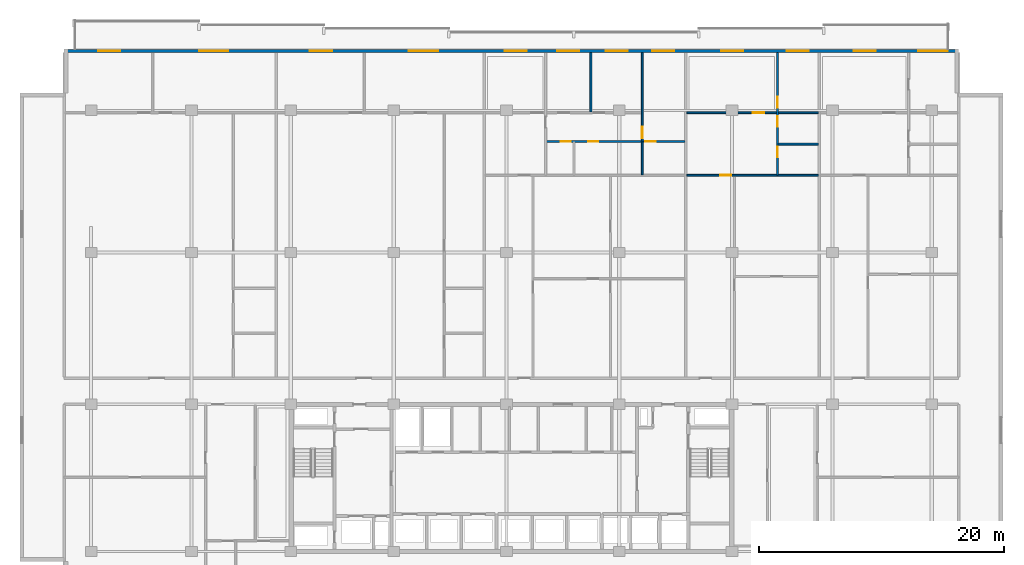
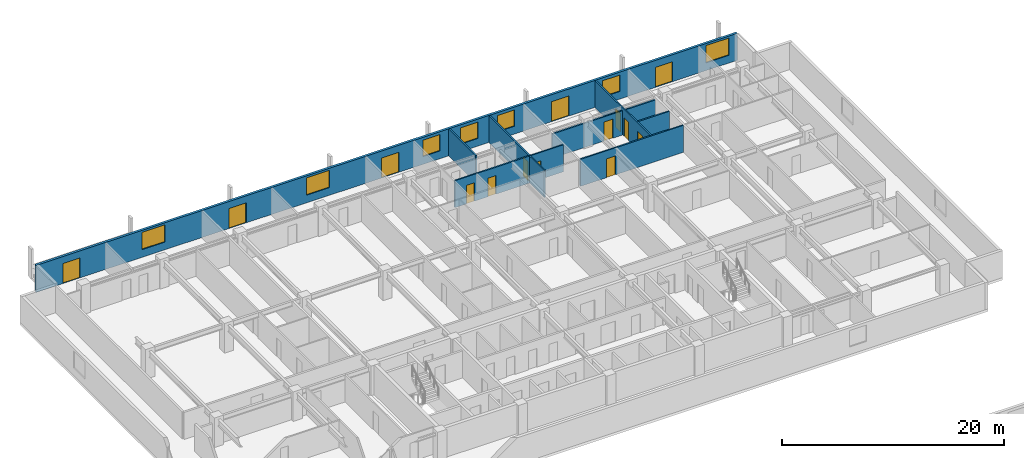
# One storey, part 15 of 22: 14 doors, 9 walls, 7 windows, 21 openings.
"""IFC4 building model written with IfcOpenShell, lengths in metres."""

from ifc_helpers import new_model, si_unit, direction, frame, frame_2d, origin, place, context, subcontext, project, spatial, rectangle, extrude, material, layer, layer_set, type_object, element, fill, save


model = new_model("IFC4")

# Units and contexts
model_context = context("Model", 3, precision=1e-05, world=origin(), true_north=direction((0.0, 1.0)))
body_context = subcontext(model_context, "Body", "Model", "MODEL_VIEW")
ifc_project = project(units=[si_unit("LENGTHUNIT", "METRE"), si_unit("AREAUNIT", "SQUARE_METRE"), si_unit("VOLUMEUNIT", "CUBIC_METRE"), si_unit("PLANEANGLEUNIT", "RADIAN"), si_unit("MASSUNIT", "GRAM", prefix="KILO")], contexts=[model_context])

# Site, building, storey
site_placement = place(None, origin())
site = spatial("IfcSite", under=ifc_project, at=site_placement, CompositionType="ELEMENT")
building_placement = place(site_placement, origin())
building = spatial("IfcBuilding", under=site, at=building_placement, Name="Korimba Cascade Residences", CompositionType="ELEMENT")
storey_placement = place(building_placement, frame((0.0, 0.0, 90.550048828125)))
storey = spatial("IfcBuildingStorey", under=building, at=storey_placement, Name="L25", CompositionType="ELEMENT", Elevation=90.550048828125)

# Wall, openings, doors, windows
ifc_material_1 = material(Name="Precast concrete C40/50", Category="concrete")
ifc_layer_1 = layer(ifc_material_1, 0.25)
ifc_layer_set_1 = layer_set([ifc_layer_1], Name="Precast concrete C40/50")
wall_type_1 = type_object("IfcWallType", Name="EW-LOG-250", PredefinedType="STANDARD", material=ifc_layer_set_1)
wall_1_placement = place(storey_placement, frame((130.60009765625, 96.050048828125, 0.0), z_axis=(0.0, 0.0, 1.0), x_axis=(-1.0, 0.0, 0.0)))
wall_1 = element("IfcWall", 1, at=wall_1_placement, inside=storey, type_object=wall_type_1, Name="L25 T1 Perimeter Stone Wall E06", PredefinedType="STANDARD", context=body_context, shape_type="SweptSolid", body=[
    extrude(rectangle(XDim=73.0, YDim=0.25, at=frame_2d((36.5, 0.0))), origin(), (0.0, 0.0, 1.0), 2.969970703125),
])
opening_1_placement = place(wall_1_placement, frame((68.422119140625, 0.0, 0.0)))
opening_1 = element("IfcOpeningElement", 2, at=opening_1_placement, cuts=wall_1, Name="Opening D-LG1", PredefinedType="OPENING", context=body_context, shape_type="SweptSolid", body=[
    extrude(rectangle(XDim=1.800048828125, YDim=2.199951171875, at=frame_2d((0.89990234375, 1.10009765625))), frame((0.0, 0.135009765625, 0.0), z_axis=(0.0, -1.0, 0.0), x_axis=(1.0, 0.0, 0.0)), (0.0, 0.0, 1.0), 0.27001953125),
])
opening_2_placement = place(wall_1_placement, frame((59.586181640625, 0.0, 0.85009765625)))
opening_2 = element("IfcOpeningElement", 3, at=opening_2_placement, cuts=wall_1, Name="Opening W-01", PredefinedType="OPENING", context=body_context, shape_type="SweptSolid", body=[
    extrude(rectangle(XDim=2.39990234375, YDim=1.89990234375, at=frame_2d((1.199951171875, 0.949951171875))), frame((0.0, 0.135009765625, 0.0), z_axis=(0.0, -1.0, 0.0), x_axis=(1.0, 0.0, 0.0)), (0.0, 0.0, 1.0), 0.27001953125),
])
opening_3_placement = place(wall_1_placement, frame((51.13525390625, 0.0, 0.0)))
opening_3 = element("IfcOpeningElement", 4, at=opening_3_placement, cuts=wall_1, Name="Opening D-LG1", PredefinedType="OPENING", context=body_context, shape_type="SweptSolid", body=[
    extrude(rectangle(XDim=1.800048828125, YDim=2.199951171875, at=frame_2d((0.89990234375, 1.10009765625))), frame((0.0, 0.135009765625, 0.0), z_axis=(0.0, -1.0, 0.0), x_axis=(1.0, 0.0, 0.0)), (0.0, 0.0, 1.0), 0.27001953125),
])
opening_4_placement = place(wall_1_placement, frame((42.46484375, 0.0, 0.85009765625)))
opening_4 = element("IfcOpeningElement", 5, at=opening_4_placement, cuts=wall_1, Name="Opening W-01", PredefinedType="OPENING", context=body_context, shape_type="SweptSolid", body=[
    extrude(rectangle(XDim=2.39990234375, YDim=1.89990234375, at=frame_2d((1.199951171875, 0.949951171875))), frame((0.0, 0.135009765625, 0.0), z_axis=(0.0, -1.0, 0.0), x_axis=(1.0, 0.0, 0.0)), (0.0, 0.0, 1.0), 0.27001953125),
])
opening_5_placement = place(wall_1_placement, frame((30.96044921875, 0.0, 0.85009765625)))
opening_5 = element("IfcOpeningElement", 6, at=opening_5_placement, cuts=wall_1, Name="Opening W-02", PredefinedType="OPENING", context=body_context, shape_type="SweptSolid", body=[
    extrude(rectangle(XDim=1.800048828125, YDim=1.800048828125, at=frame_2d((0.89990234375, 0.89990234375))), frame((0.0, 0.135009765625, 0.0), z_axis=(0.0, -1.0, 0.0), x_axis=(1.0, 0.0, 0.0)), (0.0, 0.0, 1.0), 0.27001953125),
])
opening_6_placement = place(wall_1_placement, frame((27.016845703125, 0.0, 0.85009765625)))
opening_6 = element("IfcOpeningElement", 7, at=opening_6_placement, cuts=wall_1, Name="Opening W-02", PredefinedType="OPENING", context=body_context, shape_type="SweptSolid", body=[
    extrude(rectangle(XDim=1.800048828125, YDim=1.800048828125, at=frame_2d((0.89990234375, 0.89990234375))), frame((0.0, 0.135009765625, 0.0), z_axis=(0.0, -1.0, 0.0), x_axis=(1.0, 0.0, 0.0)), (0.0, 0.0, 1.0), 0.27001953125),
])
opening_7_placement = place(wall_1_placement, frame((35.2470703125, 0.0, 0.0)))
opening_7 = element("IfcOpeningElement", 8, at=opening_7_placement, cuts=wall_1, Name="Opening D-LG1", PredefinedType="OPENING", context=body_context, shape_type="SweptSolid", body=[
    extrude(rectangle(XDim=1.800048828125, YDim=2.199951171875, at=frame_2d((0.89990234375, 1.10009765625))), frame((0.0, 0.135009765625, 0.0), z_axis=(0.0, -1.0, 0.0), x_axis=(1.0, 0.0, 0.0)), (0.0, 0.0, 1.0), 0.27001953125),
])
opening_8_placement = place(wall_1_placement, frame((23.2021484375, 0.0, 0.85009765625)))
opening_8 = element("IfcOpeningElement", 9, at=opening_8_placement, cuts=wall_1, Name="Opening W-02", PredefinedType="OPENING", context=body_context, shape_type="SweptSolid", body=[
    extrude(rectangle(XDim=1.800048828125, YDim=1.800048828125, at=frame_2d((0.89990234375, 0.89990234375))), frame((0.0, 0.135009765625, 0.0), z_axis=(0.0, -1.0, 0.0), x_axis=(1.0, 0.0, 0.0)), (0.0, 0.0, 1.0), 0.27001953125),
])
opening_9_placement = place(wall_1_placement, frame((17.5654296875, 0.0, 0.0)))
opening_9 = element("IfcOpeningElement", 10, at=opening_9_placement, cuts=wall_1, Name="Opening D-LG1", PredefinedType="OPENING", context=body_context, shape_type="SweptSolid", body=[
    extrude(rectangle(XDim=1.800048828125, YDim=2.199951171875, at=frame_2d((0.89990234375, 1.10009765625))), frame((0.0, 0.135009765625, 0.0), z_axis=(0.0, -1.0, 0.0), x_axis=(1.0, 0.0, 0.0)), (0.0, 0.0, 1.0), 0.27001953125),
])
opening_10_placement = place(wall_1_placement, frame((12.236572265625, 0.0, 0.85009765625)))
opening_10 = element("IfcOpeningElement", 11, at=opening_10_placement, cuts=wall_1, Name="Opening W-02", PredefinedType="OPENING", context=body_context, shape_type="SweptSolid", body=[
    extrude(rectangle(XDim=1.800048828125, YDim=1.800048828125, at=frame_2d((0.89990234375, 0.89990234375))), frame((0.0, 0.135009765625, 0.0), z_axis=(0.0, -1.0, 0.0), x_axis=(1.0, 0.0, 0.0)), (0.0, 0.0, 1.0), 0.27001953125),
])
opening_11_placement = place(wall_1_placement, frame((6.76318359375, 0.0, 0.0)))
opening_11 = element("IfcOpeningElement", 12, at=opening_11_placement, cuts=wall_1, Name="Opening D-LG1", PredefinedType="OPENING", context=body_context, shape_type="SweptSolid", body=[
    extrude(rectangle(XDim=1.800048828125, YDim=2.199951171875, at=frame_2d((0.89990234375, 1.10009765625))), frame((0.0, 0.135009765625, 0.0), z_axis=(0.0, -1.0, 0.0), x_axis=(1.0, 0.0, 0.0)), (0.0, 0.0, 1.0), 0.27001953125),
])
opening_12_placement = place(wall_1_placement, frame((0.89990234375, 0.0, 0.85009765625)))
opening_12 = element("IfcOpeningElement", 13, at=opening_12_placement, cuts=wall_1, Name="Opening W-01", PredefinedType="OPENING", context=body_context, shape_type="SweptSolid", body=[
    extrude(rectangle(XDim=2.39990234375, YDim=1.89990234375, at=frame_2d((1.199951171875, 0.949951171875))), frame((0.0, 0.135009765625, 0.0), z_axis=(0.0, -1.0, 0.0), x_axis=(1.0, 0.0, 0.0)), (0.0, 0.0, 1.0), 0.27001953125),
])
ifc_material_2 = material(Name="Glazed Aluminium Loggia Sliding Door", Category="aluminium")
door_type_1 = type_object("IfcDoorType", Name="DR-EXT-LOG", OperationType="NOTDEFINED", PredefinedType="DOOR", material=ifc_material_2)
door_1_placement = place(opening_1_placement, origin())
door_1 = element("IfcDoor", 14, at=door_1_placement, inside=storey, type_object=door_type_1, Name="L25 T1 Loggia Sliding Door 3", OperationType="SLIDING_TO_LEFT", OverallHeight=2.199951171875, OverallWidth=1.800048828125, PredefinedType="DOOR", context=body_context, shape_type="SweptSolid", body=[
    extrude(rectangle(XDim=1.800048828125, YDim=2.199951171875, at=frame_2d((0.89990234375, 1.10009765625))), frame((0.0, 0.02490234375, 0.0), z_axis=(0.0, -1.0, 0.0), x_axis=(1.0, 0.0, 0.0)), (0.0, 0.0, 1.0), 0.050048828125),
])
fill(opening_1, door_1)
door_2_placement = place(opening_3_placement, origin())
door_2 = element("IfcDoor", 15, at=door_2_placement, inside=storey, type_object=door_type_1, Name="L25 T1 Loggia Sliding Door 5", OperationType="SLIDING_TO_LEFT", OverallHeight=2.199951171875, OverallWidth=1.800048828125, PredefinedType="DOOR", context=body_context, shape_type="SweptSolid", body=[
    extrude(rectangle(XDim=1.800048828125, YDim=2.199951171875, at=frame_2d((0.89990234375, 1.10009765625))), frame((0.0, 0.02490234375, 0.0), z_axis=(0.0, -1.0, 0.0), x_axis=(1.0, 0.0, 0.0)), (0.0, 0.0, 1.0), 0.050048828125),
])
fill(opening_3, door_2)
door_3_placement = place(opening_7_placement, origin())
door_3 = element("IfcDoor", 16, at=door_3_placement, inside=storey, type_object=door_type_1, Name="L25 T1 Loggia Sliding Door 9", OperationType="SLIDING_TO_LEFT", OverallHeight=2.199951171875, OverallWidth=1.800048828125, PredefinedType="DOOR", context=body_context, shape_type="SweptSolid", body=[
    extrude(rectangle(XDim=1.800048828125, YDim=2.199951171875, at=frame_2d((0.89990234375, 1.10009765625))), frame((0.0, 0.02490234375, 0.0), z_axis=(0.0, -1.0, 0.0), x_axis=(1.0, 0.0, 0.0)), (0.0, 0.0, 1.0), 0.050048828125),
])
fill(opening_7, door_3)
door_4_placement = place(opening_9_placement, origin())
door_4 = element("IfcDoor", 17, at=door_4_placement, inside=storey, type_object=door_type_1, Name="L25 T1 Loggia Sliding Door 11", OperationType="SLIDING_TO_LEFT", OverallHeight=2.199951171875, OverallWidth=1.800048828125, PredefinedType="DOOR", context=body_context, shape_type="SweptSolid", body=[
    extrude(rectangle(XDim=1.800048828125, YDim=2.199951171875, at=frame_2d((0.89990234375, 1.10009765625))), frame((0.0, 0.02490234375, 0.0), z_axis=(0.0, -1.0, 0.0), x_axis=(1.0, 0.0, 0.0)), (0.0, 0.0, 1.0), 0.050048828125),
])
fill(opening_9, door_4)
door_5_placement = place(opening_11_placement, origin())
door_5 = element("IfcDoor", 18, at=door_5_placement, inside=storey, type_object=door_type_1, Name="L25 T1 Loggia Sliding Door 13", OperationType="SLIDING_TO_LEFT", OverallHeight=2.199951171875, OverallWidth=1.800048828125, PredefinedType="DOOR", context=body_context, shape_type="SweptSolid", body=[
    extrude(rectangle(XDim=1.800048828125, YDim=2.199951171875, at=frame_2d((0.89990234375, 1.10009765625))), frame((0.0, 0.02490234375, 0.0), z_axis=(0.0, -1.0, 0.0), x_axis=(1.0, 0.0, 0.0)), (0.0, 0.0, 1.0), 0.050048828125),
])
fill(opening_11, door_5)
ifc_material_3 = material(Name="Double-Glazed Aluminium Window", Category="aluminium")
window_type_1 = type_object("IfcWindowType", Name="WIN-BED-1800", PartitioningType="SINGLE_PANEL", PredefinedType="WINDOW", material=ifc_material_3)
window_1_placement = place(opening_5_placement, origin())
window_1 = element("IfcWindow", 19, at=window_1_placement, inside=storey, type_object=window_type_1, Name="L25 T1 North Facade Window 7", OverallHeight=1.800048828125, OverallWidth=1.800048828125, PartitioningType="SINGLE_PANEL", PredefinedType="WINDOW", context=body_context, shape_type="SweptSolid", body=[
    extrude(rectangle(XDim=1.800048828125, YDim=1.800048828125, at=frame_2d((0.89990234375, 0.89990234375))), frame((0.0, 0.030029296875, 0.0), z_axis=(0.0, -1.0, 0.0), x_axis=(1.0, 0.0, 0.0)), (0.0, 0.0, 1.0), 0.06005859375),
])
fill(opening_5, window_1)
window_2_placement = place(opening_6_placement, origin())
window_2 = element("IfcWindow", 20, at=window_2_placement, inside=storey, type_object=window_type_1, Name="L25 T1 North Facade Window 8", OverallHeight=1.800048828125, OverallWidth=1.800048828125, PartitioningType="SINGLE_PANEL", PredefinedType="WINDOW", context=body_context, shape_type="SweptSolid", body=[
    extrude(rectangle(XDim=1.800048828125, YDim=1.800048828125, at=frame_2d((0.89990234375, 0.89990234375))), frame((0.0, 0.030029296875, 0.0), z_axis=(0.0, -1.0, 0.0), x_axis=(1.0, 0.0, 0.0)), (0.0, 0.0, 1.0), 0.06005859375),
])
fill(opening_6, window_2)
window_3_placement = place(opening_8_placement, origin())
window_3 = element("IfcWindow", 21, at=window_3_placement, inside=storey, type_object=window_type_1, Name="L25 T1 North Facade Window 10", OverallHeight=1.800048828125, OverallWidth=1.800048828125, PartitioningType="SINGLE_PANEL", PredefinedType="WINDOW", context=body_context, shape_type="SweptSolid", body=[
    extrude(rectangle(XDim=1.800048828125, YDim=1.800048828125, at=frame_2d((0.89990234375, 0.89990234375))), frame((0.0, 0.030029296875, 0.0), z_axis=(0.0, -1.0, 0.0), x_axis=(1.0, 0.0, 0.0)), (0.0, 0.0, 1.0), 0.06005859375),
])
fill(opening_8, window_3)
window_4_placement = place(opening_10_placement, origin())
window_4 = element("IfcWindow", 22, at=window_4_placement, inside=storey, type_object=window_type_1, Name="L25 T1 North Facade Window 12", OverallHeight=1.800048828125, OverallWidth=1.800048828125, PartitioningType="SINGLE_PANEL", PredefinedType="WINDOW", context=body_context, shape_type="SweptSolid", body=[
    extrude(rectangle(XDim=1.800048828125, YDim=1.800048828125, at=frame_2d((0.89990234375, 0.89990234375))), frame((0.0, 0.030029296875, 0.0), z_axis=(0.0, -1.0, 0.0), x_axis=(1.0, 0.0, 0.0)), (0.0, 0.0, 1.0), 0.06005859375),
])
fill(opening_10, window_4)
window_type_2 = type_object("IfcWindowType", Name="WIN-RES-2400", PartitioningType="DOUBLE_PANEL_VERTICAL", PredefinedType="WINDOW", material=ifc_material_3)
window_5_placement = place(opening_2_placement, origin())
window_5 = element("IfcWindow", 23, at=window_5_placement, inside=storey, type_object=window_type_2, Name="L25 T1 North Facade Window 4", OverallHeight=1.89990234375, OverallWidth=2.39990234375, PartitioningType="DOUBLE_PANEL_VERTICAL", PredefinedType="WINDOW", context=body_context, shape_type="SweptSolid", body=[
    extrude(rectangle(XDim=2.39990234375, YDim=1.89990234375, at=frame_2d((1.199951171875, 0.949951171875))), frame((0.0, 0.030029296875, 0.0), z_axis=(0.0, -1.0, 0.0), x_axis=(1.0, 0.0, 0.0)), (0.0, 0.0, 1.0), 0.06005859375),
])
fill(opening_2, window_5)
window_6_placement = place(opening_4_placement, origin())
window_6 = element("IfcWindow", 24, at=window_6_placement, inside=storey, type_object=window_type_2, Name="L25 T1 North Facade Window 6", OverallHeight=1.89990234375, OverallWidth=2.39990234375, PartitioningType="DOUBLE_PANEL_VERTICAL", PredefinedType="WINDOW", context=body_context, shape_type="SweptSolid", body=[
    extrude(rectangle(XDim=2.39990234375, YDim=1.89990234375, at=frame_2d((1.199951171875, 0.949951171875))), frame((0.0, 0.030029296875, 0.0), z_axis=(0.0, -1.0, 0.0), x_axis=(1.0, 0.0, 0.0)), (0.0, 0.0, 1.0), 0.06005859375),
])
fill(opening_4, window_6)
window_7_placement = place(opening_12_placement, origin())
window_7 = element("IfcWindow", 25, at=window_7_placement, inside=storey, type_object=window_type_2, Name="L25 T1 North Facade Window 14", OverallHeight=1.89990234375, OverallWidth=2.39990234375, PartitioningType="DOUBLE_PANEL_VERTICAL", PredefinedType="WINDOW", context=body_context, shape_type="SweptSolid", body=[
    extrude(rectangle(XDim=2.39990234375, YDim=1.89990234375, at=frame_2d((1.199951171875, 0.949951171875))), frame((0.0, 0.030029296875, 0.0), z_axis=(0.0, -1.0, 0.0), x_axis=(1.0, 0.0, 0.0)), (0.0, 0.0, 1.0), 0.06005859375),
])
fill(opening_12, window_7)

# Walls
ifc_material_4 = material(Name="Insulated Acoustic Stud Partition", Category="gypsum")
ifc_layer_2 = layer(ifc_material_4, 0.14990234375)
ifc_layer_set_2 = layer_set([ifc_layer_2], Name="Insulated Acoustic Stud Partition")
wall_type_2 = type_object("IfcWallType", Name="WAL-PART-150", PredefinedType="PARTITIONING", material=ifc_layer_set_2)
wall_2_placement = place(storey_placement, frame((100.58642578125, 91.080078125, 0.0), z_axis=(0.0, 0.0, 1.0), x_axis=(0.0, 1.0, 0.0)))
element("IfcWall", 26, at=wall_2_placement, inside=storey, type_object=wall_type_2, Name="L25 Partition Wall WAL-L25-T1-U03-VSTD", PredefinedType="PARTITIONING", context=body_context, shape_type="SweptSolid", body=[
    extrude(rectangle(XDim=4.81982421875, YDim=0.14990234375, at=frame_2d((2.409912109375, 0.0))), origin(), (0.0, 0.0, 1.0), 2.969970703125),
])
wall_3_placement = place(storey_placement, frame((104.780029296875, 85.93994140625, 0.0), z_axis=(0.0, 0.0, 1.0), x_axis=(0.0, 1.0, 0.0)))
element("IfcWall", 27, at=wall_3_placement, inside=storey, type_object=wall_type_2, Name="L25 Partition Wall WAL-L25-T1-U03-VBATH", PredefinedType="PARTITIONING", context=body_context, shape_type="SweptSolid", body=[
    extrude(rectangle(XDim=2.68994140625, YDim=0.14990234375, at=frame_2d((1.344970703125, 0.0))), origin(), (0.0, 0.0, 1.0), 2.969970703125),
])

# Wall, opening, door
wall_4_placement = place(storey_placement, frame((104.780029296875, 88.669921875, 0.0), z_axis=(0.0, 0.0, 1.0), x_axis=(0.0, 1.0, 0.0)))
wall_4 = element("IfcWall", 28, at=wall_4_placement, inside=storey, type_object=wall_type_2, Name="L25 Partition Wall WAL-L25-T1-U03-V2FULL", PredefinedType="PARTITIONING", context=body_context, shape_type="SweptSolid", body=[
    extrude(rectangle(XDim=7.22998046875, YDim=0.14990234375, at=frame_2d((3.614990234375, 0.0))), origin(), (0.0, 0.0, 1.0), 2.969970703125),
])
opening_13_placement = place(wall_4_placement, frame((0.260009765625, 0.0, 0.0)))
opening_13 = element("IfcOpeningElement", 29, at=opening_13_placement, cuts=wall_4, Name="Opening D-IN1", PredefinedType="OPENING", context=body_context, shape_type="SweptSolid", body=[
    extrude(rectangle(XDim=0.919921875, YDim=2.080078125, at=frame_2d((0.4599609375, 1.0400390625))), frame((0.0, 0.0849609375, 0.0), z_axis=(0.0, -1.0, 0.0), x_axis=(1.0, 0.0, 0.0)), (0.0, 0.0, 1.0), 0.169921875),
])
ifc_material_5 = material(Name="Acoustic Timber Living Door", Category="wood")
door_type_2 = type_object("IfcDoorType", Name="DR-INT-920", OperationType="NOTDEFINED", PredefinedType="DOOR", material=ifc_material_5)
door_6_placement = place(opening_13_placement, origin())
door_6 = element("IfcDoor", 30, at=door_6_placement, inside=storey, type_object=door_type_2, Name="L25-T1-U03 Master Bedroom Door", OperationType="SINGLE_SWING_RIGHT", OverallHeight=2.080078125, OverallWidth=0.919921875, PredefinedType="DOOR", context=body_context, shape_type="SweptSolid", body=[
    extrude(rectangle(XDim=0.919921875, YDim=2.080078125, at=frame_2d((0.4599609375, 1.0400390625))), frame((0.0, 0.02490234375, 0.0), z_axis=(0.0, -1.0, 0.0), x_axis=(1.0, 0.0, 0.0)), (0.0, 0.0, 1.0), 0.050048828125),
])
fill(opening_13, door_6)

# Wall, openings, doors
wall_5_placement = place(storey_placement, frame((96.932861328125, 88.64990234375, 0.0), z_axis=(0.0, 0.0, 1.0), x_axis=(1.0, 0.0, 0.0)))
wall_5 = element("IfcWall", 31, at=wall_5_placement, inside=storey, type_object=wall_type_2, Name="L25 Partition Wall WAL-L25-T1-U03-HWALL", PredefinedType="PARTITIONING", context=body_context, shape_type="SweptSolid", body=[
    extrude(rectangle(XDim=11.322998046875, YDim=0.14990234375, at=frame_2d((5.66162109375, 0.0))), origin(), (0.0, 0.0, 1.0), 2.969970703125),
])
opening_14_placement = place(wall_5_placement, frame((1.19091796875, 0.0, 0.0)))
opening_14 = element("IfcOpeningElement", 32, at=opening_14_placement, cuts=wall_5, Name="Opening D-BT1", PredefinedType="OPENING", context=body_context, shape_type="SweptSolid", body=[
    extrude(rectangle(XDim=0.840087890625, YDim=2.0400390625, at=frame_2d((0.419921875, 1.02001953125))), frame((0.0, 0.0849609375, 0.0), z_axis=(0.0, -1.0, 0.0), x_axis=(1.0, 0.0, 0.0)), (0.0, 0.0, 1.0), 0.169921875),
])
opening_15_placement = place(wall_5_placement, frame((3.435302734375, 0.0, 0.0)))
opening_15 = element("IfcOpeningElement", 33, at=opening_15_placement, cuts=wall_5, Name="Opening D-BT1", PredefinedType="OPENING", context=body_context, shape_type="SweptSolid", body=[
    extrude(rectangle(XDim=0.840087890625, YDim=2.0400390625, at=frame_2d((0.419921875, 1.02001953125))), frame((0.0, 0.0849609375, 0.0), z_axis=(0.0, -1.0, 0.0), x_axis=(1.0, 0.0, 0.0)), (0.0, 0.0, 1.0), 0.169921875),
])
opening_16_placement = place(wall_5_placement, frame((8.09716796875, 0.0, 0.0)))
opening_16 = element("IfcOpeningElement", 34, at=opening_16_placement, cuts=wall_5, Name="Opening D-BT1", PredefinedType="OPENING", context=body_context, shape_type="SweptSolid", body=[
    extrude(rectangle(XDim=0.840087890625, YDim=2.0400390625, at=frame_2d((0.419921875, 1.02001953125))), frame((0.0, 0.0849609375, 0.0), z_axis=(0.0, -1.0, 0.0), x_axis=(1.0, 0.0, 0.0)), (0.0, 0.0, 1.0), 0.169921875),
])
ifc_material_6 = material(Name="Moisture-Resistant Bathroom Timber Door", Category="wood")
door_type_3 = type_object("IfcDoorType", Name="DR-INT-850", OperationType="NOTDEFINED", PredefinedType="DOOR", material=ifc_material_6)
door_7_placement = place(opening_14_placement, origin())
door_7 = element("IfcDoor", 35, at=door_7_placement, inside=storey, type_object=door_type_3, Name="L25-T1-U03 Family Bathroom Door", OperationType="SINGLE_SWING_LEFT", OverallHeight=2.0400390625, OverallWidth=0.840087890625, PredefinedType="DOOR", context=body_context, shape_type="SweptSolid", body=[
    extrude(rectangle(XDim=0.840087890625, YDim=2.0400390625, at=frame_2d((0.419921875, 1.02001953125))), frame((0.0, 0.02490234375, 0.0), z_axis=(0.0, -1.0, 0.0), x_axis=(1.0, 0.0, 0.0)), (0.0, 0.0, 1.0), 0.050048828125),
])
fill(opening_14, door_7)
door_8_placement = place(opening_15_placement, origin())
door_8 = element("IfcDoor", 36, at=door_8_placement, inside=storey, type_object=door_type_3, Name="L25-T1-U03 Dressing Room Door", OperationType="SINGLE_SWING_RIGHT", OverallHeight=2.0400390625, OverallWidth=0.840087890625, PredefinedType="DOOR", context=body_context, shape_type="SweptSolid", body=[
    extrude(rectangle(XDim=0.840087890625, YDim=2.0400390625, at=frame_2d((0.419921875, 1.02001953125))), frame((0.0, 0.02490234375, 0.0), z_axis=(0.0, -1.0, 0.0), x_axis=(1.0, 0.0, 0.0)), (0.0, 0.0, 1.0), 0.050048828125),
])
fill(opening_15, door_8)
door_9_placement = place(opening_16_placement, origin())
door_9 = element("IfcDoor", 37, at=door_9_placement, inside=storey, type_object=door_type_3, Name="L25-T1-U03 En-Suite Door", OperationType="SINGLE_SWING_LEFT", OverallHeight=2.0400390625, OverallWidth=0.840087890625, PredefinedType="DOOR", context=body_context, shape_type="SweptSolid", body=[
    extrude(rectangle(XDim=0.840087890625, YDim=2.0400390625, at=frame_2d((0.419921875, 1.02001953125))), frame((0.0, 0.02490234375, 0.0), z_axis=(0.0, -1.0, 0.0), x_axis=(1.0, 0.0, 0.0)), (0.0, 0.0, 1.0), 0.050048828125),
])
fill(opening_16, door_9)

# Wall
wall_6_placement = place(storey_placement, frame((115.873291015625, 88.43994140625, 0.0), z_axis=(0.0, 0.0, 1.0), x_axis=(1.0, 0.0, 0.0)))
element("IfcWall", 38, at=wall_6_placement, inside=storey, type_object=wall_type_2, Name="L25 Partition Wall WAL-L25-T1-U04-BLDIV", PredefinedType="PARTITIONING", context=body_context, shape_type="SweptSolid", body=[
    extrude(rectangle(XDim=3.280029296875, YDim=0.14990234375, at=frame_2d((1.64013671875, 0.0))), origin(), (0.0, 0.0, 1.0), 2.969970703125),
])

# Wall, openings, doors
wall_7_placement = place(storey_placement, frame((115.8134765625, 85.93994140625, 0.0), z_axis=(0.0, 0.0, 1.0), x_axis=(0.0, 1.0, 0.0)))
wall_7 = element("IfcWall", 39, at=wall_7_placement, inside=storey, type_object=wall_type_2, Name="L25 Partition Wall WAL-L25-T1-U04-V1", PredefinedType="PARTITIONING", context=body_context, shape_type="SweptSolid", body=[
    extrude(rectangle(XDim=9.9599609375, YDim=0.14990234375, at=frame_2d((4.97998046875, 0.0))), origin(), (0.0, 0.0, 1.0), 2.969970703125),
])
opening_17_placement = place(wall_7_placement, frame((1.430419921875, 0.0, 0.0)))
opening_17 = element("IfcOpeningElement", 40, at=opening_17_placement, cuts=wall_7, Name="Opening D-BT1", PredefinedType="OPENING", context=body_context, shape_type="SweptSolid", body=[
    extrude(rectangle(XDim=0.840087890625, YDim=2.0400390625, at=frame_2d((0.419921875, 1.02001953125))), frame((0.0, 0.0849609375, 0.0), z_axis=(0.0, -1.0, 0.0), x_axis=(1.0, 0.0, 0.0)), (0.0, 0.0, 1.0), 0.169921875),
])
opening_18_placement = place(wall_7_placement, frame((3.919921875, 0.0, 0.0)))
opening_18 = element("IfcOpeningElement", 41, at=opening_18_placement, cuts=wall_7, Name="Opening D-BT1", PredefinedType="OPENING", context=body_context, shape_type="SweptSolid", body=[
    extrude(rectangle(XDim=0.840087890625, YDim=2.0400390625, at=frame_2d((0.419921875, 1.02001953125))), frame((0.0, 0.0849609375, 0.0), z_axis=(0.0, -1.0, 0.0), x_axis=(1.0, 0.0, 0.0)), (0.0, 0.0, 1.0), 0.169921875),
])
opening_19_placement = place(wall_7_placement, frame((5.47998046875, 0.0, 0.0)))
opening_19 = element("IfcOpeningElement", 42, at=opening_19_placement, cuts=wall_7, Name="Opening D-IN2", PredefinedType="OPENING", context=body_context, shape_type="SweptSolid", body=[
    extrude(rectangle(XDim=0.8798828125, YDim=2.06005859375, at=frame_2d((0.43994140625, 1.030029296875))), frame((0.0, 0.0849609375, 0.0), z_axis=(0.0, -1.0, 0.0), x_axis=(1.0, 0.0, 0.0)), (0.0, 0.0, 1.0), 0.169921875),
])
door_10_placement = place(opening_17_placement, origin())
door_10 = element("IfcDoor", 43, at=door_10_placement, inside=storey, type_object=door_type_3, Name="L25-T1-U04 Bathroom Door", OperationType="SINGLE_SWING_RIGHT", OverallHeight=2.0400390625, OverallWidth=0.840087890625, PredefinedType="DOOR", context=body_context, shape_type="SweptSolid", body=[
    extrude(rectangle(XDim=0.840087890625, YDim=2.0400390625, at=frame_2d((0.419921875, 1.02001953125))), frame((0.0, 0.02490234375, 0.0), z_axis=(0.0, -1.0, 0.0), x_axis=(1.0, 0.0, 0.0)), (0.0, 0.0, 1.0), 0.050048828125),
])
fill(opening_17, door_10)
door_11_placement = place(opening_18_placement, origin())
door_11 = element("IfcDoor", 44, at=door_11_placement, inside=storey, type_object=door_type_3, Name="L25-T1-U04 Laundry Door", OperationType="SINGLE_SWING_LEFT", OverallHeight=2.0400390625, OverallWidth=0.840087890625, PredefinedType="DOOR", context=body_context, shape_type="SweptSolid", body=[
    extrude(rectangle(XDim=0.840087890625, YDim=2.0400390625, at=frame_2d((0.419921875, 1.02001953125))), frame((0.0, 0.02490234375, 0.0), z_axis=(0.0, -1.0, 0.0), x_axis=(1.0, 0.0, 0.0)), (0.0, 0.0, 1.0), 0.050048828125),
])
fill(opening_18, door_11)
ifc_material_7 = material(Name="Acoustic Timber Bedroom Door", Category="wood")
door_type_4 = type_object("IfcDoorType", Name="DR-INT-880", OperationType="NOTDEFINED", PredefinedType="DOOR", material=ifc_material_7)
door_12_placement = place(opening_19_placement, origin())
door_12 = element("IfcDoor", 45, at=door_12_placement, inside=storey, type_object=door_type_4, Name="L25-T1-U04 Bedroom 1 Door", OperationType="SINGLE_SWING_RIGHT", OverallHeight=2.06005859375, OverallWidth=0.8798828125, PredefinedType="DOOR", context=body_context, shape_type="SweptSolid", body=[
    extrude(rectangle(XDim=0.8798828125, YDim=2.06005859375, at=frame_2d((0.43994140625, 1.030029296875))), frame((0.0, 0.02490234375, 0.0), z_axis=(0.0, -1.0, 0.0), x_axis=(1.0, 0.0, 0.0)), (0.0, 0.0, 1.0), 0.050048828125),
])
fill(opening_19, door_12)

# Wall, opening, door
wall_8_placement = place(storey_placement, frame((108.415771484375, 85.89990234375, 0.0), z_axis=(0.0, 0.0, 1.0), x_axis=(1.0, 0.0, 0.0)))
wall_8 = element("IfcWall", 46, at=wall_8_placement, inside=storey, type_object=wall_type_2, Name="L25 Partition Wall WAL-L25-T1-U04-MW", PredefinedType="PARTITIONING", context=body_context, shape_type="SweptSolid", body=[
    extrude(rectangle(XDim=10.737548828125, YDim=0.14990234375, at=frame_2d((5.36865234375, 0.0))), origin(), (0.0, 0.0, 1.0), 2.969970703125),
])
opening_20_placement = place(wall_8_placement, frame((2.719970703125, 0.0, 0.0)))
opening_20 = element("IfcOpeningElement", 47, at=opening_20_placement, cuts=wall_8, Name="Opening D-IN1", PredefinedType="OPENING", context=body_context, shape_type="SweptSolid", body=[
    extrude(rectangle(XDim=0.919921875, YDim=2.080078125, at=frame_2d((0.4599609375, 1.0400390625))), frame((0.0, 0.0849609375, 0.0), z_axis=(0.0, -1.0, 0.0), x_axis=(1.0, 0.0, 0.0)), (0.0, 0.0, 1.0), 0.169921875),
])
door_13_placement = place(opening_20_placement, origin())
door_13 = element("IfcDoor", 48, at=door_13_placement, inside=storey, type_object=door_type_2, Name="L25-T1-U04 Kitchen Archway Door", OperationType="SINGLE_SWING_LEFT", OverallHeight=2.080078125, OverallWidth=0.919921875, PredefinedType="DOOR", context=body_context, shape_type="SweptSolid", body=[
    extrude(rectangle(XDim=0.919921875, YDim=2.080078125, at=frame_2d((0.4599609375, 1.0400390625))), frame((0.0, 0.02490234375, 0.0), z_axis=(0.0, -1.0, 0.0), x_axis=(1.0, 0.0, 0.0)), (0.0, 0.0, 1.0), 0.050048828125),
])
fill(opening_20, door_13)

wall_9_placement = place(storey_placement, frame((108.415771484375, 91.0, 0.0), z_axis=(0.0, 0.0, 1.0), x_axis=(1.0, 0.0, 0.0)))
wall_9 = element("IfcWall", 49, at=wall_9_placement, inside=storey, type_object=wall_type_2, Name="L25 Partition Wall WAL-L25-T1-U04-HZ", PredefinedType="PARTITIONING", context=body_context, shape_type="SweptSolid", body=[
    extrude(rectangle(XDim=10.737548828125, YDim=0.14990234375, at=frame_2d((5.36865234375, 0.0))), origin(), (0.0, 0.0, 1.0), 2.663330078125),
])
opening_21_placement = place(wall_9_placement, frame((5.37353515625, 0.0, 0.0)))
opening_21 = element("IfcOpeningElement", 50, at=opening_21_placement, cuts=wall_9, Name="Opening D-IN0", PredefinedType="OPENING", context=body_context, shape_type="SweptSolid", body=[
    extrude(rectangle(XDim=0.93994140625, YDim=2.10009765625, at=frame_2d((0.469970703125, 1.050048828125))), frame((0.0, 0.0849609375, 0.0), z_axis=(0.0, -1.0, 0.0), x_axis=(1.0, 0.0, 0.0)), (0.0, 0.0, 1.0), 0.169921875),
])
ifc_material_8 = material(Name="Acoustic Timber Living Archway Door", Category="wood")
door_type_5 = type_object("IfcDoorType", Name="DR-INT-950", OperationType="NOTDEFINED", PredefinedType="DOOR", material=ifc_material_8)
door_14_placement = place(opening_21_placement, origin())
door_14 = element("IfcDoor", 51, at=door_14_placement, inside=storey, type_object=door_type_5, Name="L25-T1-U04 Living Archway Door", OperationType="SINGLE_SWING_RIGHT", OverallHeight=2.10009765625, OverallWidth=0.93994140625, PredefinedType="DOOR", context=body_context, shape_type="SweptSolid", body=[
    extrude(rectangle(XDim=0.93994140625, YDim=2.10009765625, at=frame_2d((0.469970703125, 1.050048828125))), frame((0.0, 0.02490234375, 0.0), z_axis=(0.0, -1.0, 0.0), x_axis=(1.0, 0.0, 0.0)), (0.0, 0.0, 1.0), 0.050048828125),
])
fill(opening_21, door_14)

save(model, "model.ifc")
